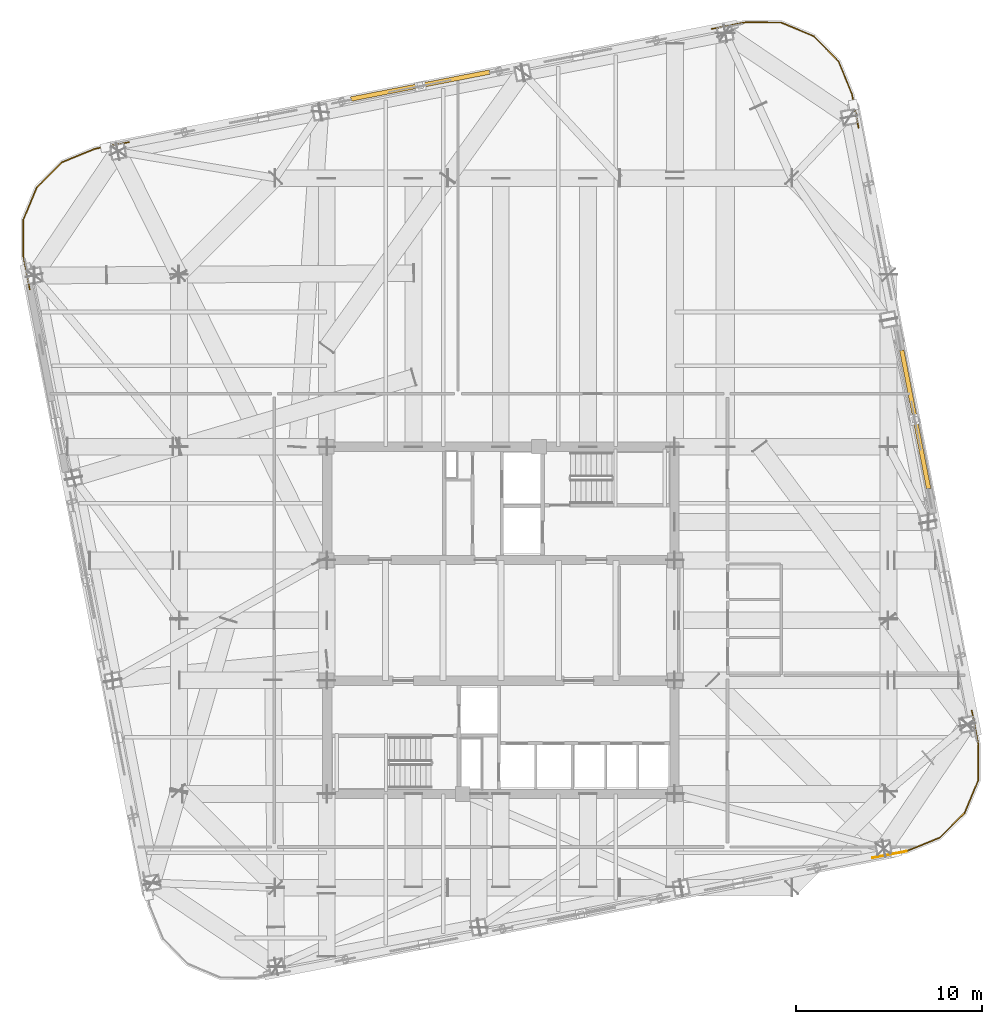
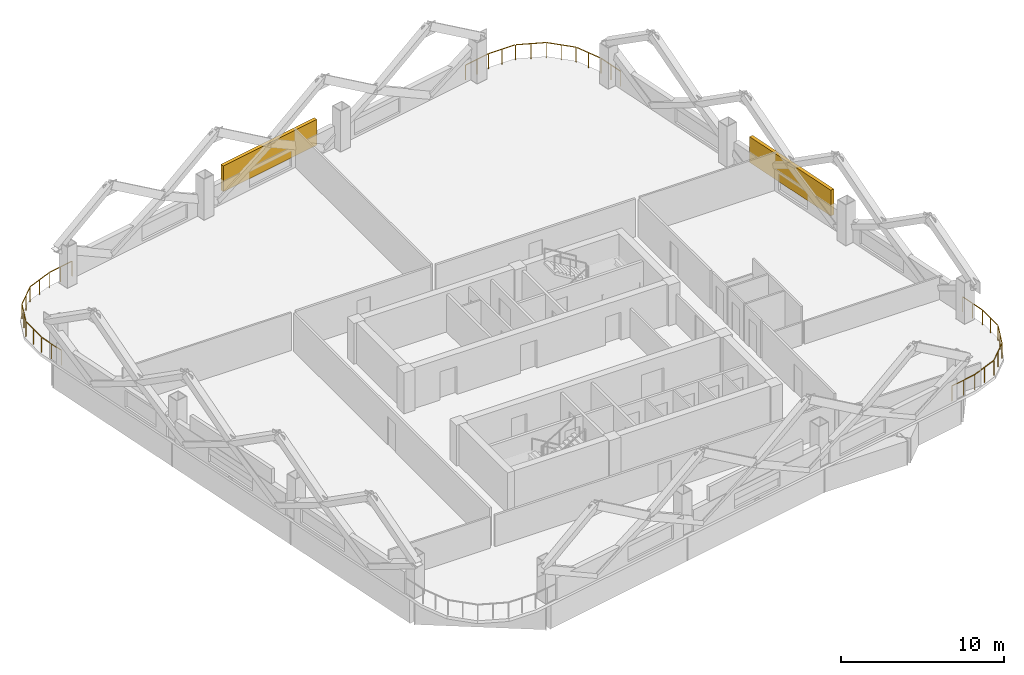
# One storey, part 14 of 14: 4 railings, 2 shading devices.
"""IFC4 building model written with IfcOpenShell, lengths in metres."""

from ifc_helpers import new_model, si_unit, direction, frame, origin, origin_2d, place, context, subcontext, project, spatial, rectangle, extrude, material, type_object, element, save


model = new_model("IFC4")

# Units and contexts
model_context = context("Model", 3, precision=1e-05, world=origin(), true_north=direction((0.0, 1.0)))
body_context = subcontext(model_context, "Body", "Model", "MODEL_VIEW")
ifc_project = project(units=[si_unit("LENGTHUNIT", "METRE"), si_unit("AREAUNIT", "SQUARE_METRE"), si_unit("VOLUMEUNIT", "CUBIC_METRE"), si_unit("PLANEANGLEUNIT", "RADIAN"), si_unit("MASSUNIT", "GRAM", prefix="KILO")], contexts=[model_context])

# Site, building, storey
site_placement = place(None, origin())
site = spatial("IfcSite", under=ifc_project, at=site_placement, CompositionType="ELEMENT")
building_placement = place(site_placement, origin())
building = spatial("IfcBuilding", under=site, at=building_placement, Name="Qhalaya Broadcast Tower", CompositionType="ELEMENT")
storey_placement = place(building_placement, frame((0.0, 0.0, 112.800048828125)))
storey = spatial("IfcBuildingStorey", under=building, at=storey_placement, Name="L32", CompositionType="ELEMENT", Elevation=112.800048828125)

# Railings
ifc_material_1 = material(Name="Powder-Coated Galvanised Steel", Category="steel")
railing_type = type_object("IfcRailingType", Name="Terrace, Sky-Pool & Lookout Glass Balustrade 1150", PredefinedType="BALUSTRADE", material=ifc_material_1)
railing_1_placement = place(storey_placement, frame((21.847412109375, -11.82861328125, 0.0)))
element("IfcRailing", 1, at=railing_1_placement, inside=storey, type_object=railing_type, Name="L32 Rounded Corner Perimeter Guard 01", PredefinedType="BALUSTRADE", context=body_context, shape_type="SweptSolid", body=[
    extrude(rectangle(XDim=0.048095703125, YDim=0.048095703125, at=origin_2d()), frame((0.0, 0.0, 1.1259765625), z_axis=(-0.981618812261, -0.190852056357, 0.0), x_axis=(0.190852056357, -0.981618812261, 0.0)), (0.0, 0.0, 1.0), 1.856201171875),
    extrude(rectangle(XDim=0.0419921875, YDim=0.0419921875, at=origin_2d()), origin(), (0.0, 0.0, 1.0), 1.099853515625),
    extrude(rectangle(XDim=0.0419921875, YDim=0.0419921875, at=origin_2d()), frame((-0.9111328125, -0.17724609375, 0.0)), (0.0, 0.0, 1.0), 1.099853515625),
    extrude(rectangle(XDim=0.0419921875, YDim=0.0419921875, at=origin_2d()), frame((-1.822021484375, -0.354248046875, 0.0)), (0.0, 0.0, 1.0), 1.099853515625),
])
railing_2_placement = place(storey_placement, frame((-25.36181640625, 18.43115234375, 0.0)))
element("IfcRailing", 2, at=railing_2_placement, inside=storey, type_object=railing_type, Name="L32 Rounded Corner Perimeter Guard 03", PredefinedType="BALUSTRADE", context=body_context, shape_type="SweptSolid", body=[
    extrude(rectangle(XDim=0.048095703125, YDim=0.048095703125, at=origin_2d()), frame((0.0, 0.0, 1.1259765625), z_axis=(-0.190827417864, 0.981623602299, 0.0), x_axis=(-0.981623602299, -0.190827417864, 0.0)), (0.0, 0.0, 1.0), 1.82763671875),
    extrude(rectangle(XDim=0.048095703125, YDim=0.048095703125, at=origin_2d()), frame((-0.35400390625, 1.85107421875, 1.1259765625), z_axis=(0.004334482484, 0.999990606087, 0.0), x_axis=(-0.999990606087, 0.004334482484, 0.0)), (0.0, 0.0, 1.0), 1.857421875),
    extrude(rectangle(XDim=0.048095703125, YDim=0.048095703125, at=origin_2d()), frame((-0.334716796875, 3.763916015625, 1.1259765625), z_axis=(0.386754828875, 0.922182575384, 0.0), x_axis=(-0.922182575384, 0.386754828875, 0.0)), (0.0, 0.0, 1.0), 1.845458984375),
    extrude(rectangle(XDim=0.048095703125, YDim=0.048095703125, at=origin_2d()), frame((0.41064453125, 5.5126953125, 1.1259765625), z_axis=(0.710178888649, 0.704021268228, 0.0), x_axis=(-0.704021268228, 0.710178888649, 0.0)), (0.0, 0.0, 1.0), 1.845458984375),
    extrude(rectangle(XDim=0.048095703125, YDim=0.048095703125, at=origin_2d()), frame((1.768310546875, 6.84326171875, 1.1259765625), z_axis=(0.92552055863, 0.378697366711, 0.0), x_axis=(-0.378697366711, 0.92552055863, 0.0)), (0.0, 0.0, 1.0), 1.857666015625),
    extrude(rectangle(XDim=0.048095703125, YDim=0.048095703125, at=origin_2d()), frame((3.542724609375, 7.563232421875, 1.1259765625), z_axis=(0.981643446311, 0.190725311155, 0.0), x_axis=(-0.190725311155, 0.981643446311, 0.0)), (0.0, 0.0, 1.0), 1.8271484375),
    extrude(rectangle(XDim=0.0419921875, YDim=0.0419921875, at=origin_2d()), origin(), (0.0, 0.0, 1.0), 1.099853515625),
    extrude(rectangle(XDim=0.0419921875, YDim=0.0419921875, at=origin_2d()), frame((-0.17724609375, 0.9111328125, 0.0)), (0.0, 0.0, 1.0), 1.099853515625),
    extrude(rectangle(XDim=0.0419921875, YDim=0.0419921875, at=origin_2d()), frame((-0.354248046875, 1.822265625, 0.0)), (0.0, 0.0, 1.0), 1.099853515625),
    extrude(rectangle(XDim=0.0419921875, YDim=0.0419921875, at=origin_2d()), frame((-0.35009765625, 2.77978515625, 0.0)), (0.0, 0.0, 1.0), 1.099853515625),
    extrude(rectangle(XDim=0.0419921875, YDim=0.0419921875, at=origin_2d()), frame((-0.345947265625, 3.7373046875, 0.0)), (0.0, 0.0, 1.0), 1.099853515625),
    extrude(rectangle(XDim=0.0419921875, YDim=0.0419921875, at=origin_2d()), frame((0.02197265625, 4.61474609375, 0.0)), (0.0, 0.0, 1.0), 1.099853515625),
    extrude(rectangle(XDim=0.0419921875, YDim=0.0419921875, at=origin_2d()), frame((0.39013671875, 5.492431640625, 0.0)), (0.0, 0.0, 1.0), 1.099853515625),
    extrude(rectangle(XDim=0.0419921875, YDim=0.0419921875, at=origin_2d()), frame((1.06591796875, 6.162353515625, 0.0)), (0.0, 0.0, 1.0), 1.099853515625),
    extrude(rectangle(XDim=0.0419921875, YDim=0.0419921875, at=origin_2d()), frame((1.74169921875, 6.832275390625, 0.0)), (0.0, 0.0, 1.0), 1.099853515625),
    extrude(rectangle(XDim=0.0419921875, YDim=0.0419921875, at=origin_2d()), frame((2.6279296875, 7.19482421875, 0.0)), (0.0, 0.0, 1.0), 1.099853515625),
    extrude(rectangle(XDim=0.0419921875, YDim=0.0419921875, at=origin_2d()), frame((3.514404296875, 7.5576171875, 0.0)), (0.0, 0.0, 1.0), 1.099853515625),
    extrude(rectangle(XDim=0.0419921875, YDim=0.0419921875, at=origin_2d()), frame((4.42529296875, 7.734619140625, 0.0)), (0.0, 0.0, 1.0), 1.099853515625),
    extrude(rectangle(XDim=0.0419921875, YDim=0.0419921875, at=origin_2d()), frame((5.33642578125, 7.91162109375, 0.0)), (0.0, 0.0, 1.0), 1.099853515625),
])
railing_3_placement = place(storey_placement, frame((11.351318359375, 32.44189453125, 0.0)))
element("IfcRailing", 3, at=railing_3_placement, inside=storey, type_object=railing_type, Name="L32 Rounded Corner Perimeter Guard 04", PredefinedType="BALUSTRADE", context=body_context, shape_type="SweptSolid", body=[
    extrude(rectangle(XDim=0.048095703125, YDim=0.048095703125, at=origin_2d()), frame((0.0, 0.0, 1.1259765625), z_axis=(0.981643446311, 0.190725311155, 0.0), x_axis=(-0.190725311155, 0.981643446311, 0.0)), (0.0, 0.0, 1.0), 1.8271484375),
    extrude(rectangle(XDim=0.048095703125, YDim=0.048095703125, at=origin_2d()), frame((1.850830078125, 0.353759765625, 1.1259765625), z_axis=(0.999990606087, -0.004334482484, 0.0), x_axis=(0.004334482484, 0.999990606087, 0.0)), (0.0, 0.0, 1.0), 1.857421875),
    extrude(rectangle(XDim=0.048095703125, YDim=0.048095703125, at=origin_2d()), frame((3.763671875, 0.33447265625, 1.1259765625), z_axis=(0.922247496545, -0.386599993684, 0.0), x_axis=(0.386599993684, 0.922247496545, 0.0)), (0.0, 0.0, 1.0), 1.845703125),
    extrude(rectangle(XDim=0.048095703125, YDim=0.048095703125, at=origin_2d()), frame((5.5126953125, -0.41064453125, 1.1259765625), z_axis=(0.704021268228, -0.710178888649, 0.0), x_axis=(0.710178888649, 0.704021268228, 0.0)), (0.0, 0.0, 1.0), 1.845458984375),
    extrude(rectangle(XDim=0.048095703125, YDim=0.048095703125, at=origin_2d()), frame((6.84326171875, -1.768310546875, 1.1259765625), z_axis=(0.378588174109, -0.925565229698, 0.0), x_axis=(0.925565229698, 0.378588174109, 0.0)), (0.0, 0.0, 1.0), 1.857666015625),
    extrude(rectangle(XDim=0.048095703125, YDim=0.048095703125, at=origin_2d()), frame((7.56298828125, -3.542724609375, 1.1259765625), z_axis=(0.190725311155, -0.981643446311, 0.0), x_axis=(0.981643446311, 0.190725311155, 0.0)), (0.0, 0.0, 1.0), 1.8271484375),
    extrude(rectangle(XDim=0.0419921875, YDim=0.0419921875, at=origin_2d()), origin(), (0.0, 0.0, 1.0), 1.099853515625),
    extrude(rectangle(XDim=0.0419921875, YDim=0.0419921875, at=origin_2d()), frame((0.9111328125, 0.177001953125, 0.0)), (0.0, 0.0, 1.0), 1.099853515625),
    extrude(rectangle(XDim=0.0419921875, YDim=0.0419921875, at=origin_2d()), frame((1.822021484375, 0.35400390625, 0.0)), (0.0, 0.0, 1.0), 1.099853515625),
    extrude(rectangle(XDim=0.0419921875, YDim=0.0419921875, at=origin_2d()), frame((2.779541015625, 0.349853515625, 0.0)), (0.0, 0.0, 1.0), 1.099853515625),
    extrude(rectangle(XDim=0.0419921875, YDim=0.0419921875, at=origin_2d()), frame((3.737060546875, 0.345703125, 0.0)), (0.0, 0.0, 1.0), 1.099853515625),
    extrude(rectangle(XDim=0.0419921875, YDim=0.0419921875, at=origin_2d()), frame((4.61474609375, -0.022216796875, 0.0)), (0.0, 0.0, 1.0), 1.099853515625),
    extrude(rectangle(XDim=0.0419921875, YDim=0.0419921875, at=origin_2d()), frame((5.492431640625, -0.39013671875, 0.0)), (0.0, 0.0, 1.0), 1.099853515625),
    extrude(rectangle(XDim=0.0419921875, YDim=0.0419921875, at=origin_2d()), frame((6.162353515625, -1.06591796875, 0.0)), (0.0, 0.0, 1.0), 1.099853515625),
    extrude(rectangle(XDim=0.0419921875, YDim=0.0419921875, at=origin_2d()), frame((6.832275390625, -1.74169921875, 0.0)), (0.0, 0.0, 1.0), 1.099853515625),
    extrude(rectangle(XDim=0.0419921875, YDim=0.0419921875, at=origin_2d()), frame((7.19482421875, -2.6279296875, 0.0)), (0.0, 0.0, 1.0), 1.099853515625),
    extrude(rectangle(XDim=0.0419921875, YDim=0.0419921875, at=origin_2d()), frame((7.557373046875, -3.514404296875, 0.0)), (0.0, 0.0, 1.0), 1.099853515625),
    extrude(rectangle(XDim=0.0419921875, YDim=0.0419921875, at=origin_2d()), frame((7.734375, -4.42529296875, 0.0)), (0.0, 0.0, 1.0), 1.099853515625),
    extrude(rectangle(XDim=0.0419921875, YDim=0.0419921875, at=origin_2d()), frame((7.911376953125, -5.33642578125, 0.0)), (0.0, 0.0, 1.0), 1.099853515625),
])
railing_4_placement = place(storey_placement, frame((25.36181640625, -4.271240234375, 0.0)))
element("IfcRailing", 4, at=railing_4_placement, inside=storey, type_object=railing_type, Name="L32 Rounded Corner Perimeter Guard 05", PredefinedType="BALUSTRADE", context=body_context, shape_type="SweptSolid", body=[
    extrude(rectangle(XDim=0.048095703125, YDim=0.048095703125, at=origin_2d()), frame((0.0, 0.0, 1.1259765625), z_axis=(0.190827417864, -0.981623602299, 0.0), x_axis=(0.981623602299, 0.190827417864, 0.0)), (0.0, 0.0, 1.0), 1.82763671875),
    extrude(rectangle(XDim=0.048095703125, YDim=0.048095703125, at=origin_2d()), frame((0.35400390625, -1.85107421875, 1.1259765625), z_axis=(-0.004334482484, -0.999990606087, 0.0), x_axis=(0.999990606087, -0.004334482484, 0.0)), (0.0, 0.0, 1.0), 1.857421875),
    extrude(rectangle(XDim=0.048095703125, YDim=0.048095703125, at=origin_2d()), frame((0.334716796875, -3.763916015625, 1.1259765625), z_axis=(-0.386754828875, -0.922182575384, 0.0), x_axis=(0.922182575384, -0.386754828875, 0.0)), (0.0, 0.0, 1.0), 1.845458984375),
    extrude(rectangle(XDim=0.048095703125, YDim=0.048095703125, at=origin_2d()), frame((-0.41064453125, -5.5126953125, 1.1259765625), z_axis=(-0.710178888649, -0.704021268228, 0.0), x_axis=(0.704021268228, -0.710178888649, 0.0)), (0.0, 0.0, 1.0), 1.845458984375),
    extrude(rectangle(XDim=0.048095703125, YDim=0.048095703125, at=origin_2d()), frame((-1.768310546875, -6.84326171875, 1.1259765625), z_axis=(-0.925565229698, -0.378588174109, 0.0), x_axis=(0.378588174109, -0.925565229698, 0.0)), (0.0, 0.0, 1.0), 1.886474609375),
    extrude(rectangle(XDim=0.0419921875, YDim=0.0419921875, at=origin_2d()), origin(), (0.0, 0.0, 1.0), 1.099853515625),
    extrude(rectangle(XDim=0.0419921875, YDim=0.0419921875, at=origin_2d()), frame((0.17724609375, -0.9111328125, 0.0)), (0.0, 0.0, 1.0), 1.099853515625),
    extrude(rectangle(XDim=0.0419921875, YDim=0.0419921875, at=origin_2d()), frame((0.354248046875, -1.822265625, 0.0)), (0.0, 0.0, 1.0), 1.099853515625),
    extrude(rectangle(XDim=0.0419921875, YDim=0.0419921875, at=origin_2d()), frame((0.35009765625, -2.77978515625, 0.0)), (0.0, 0.0, 1.0), 1.099853515625),
    extrude(rectangle(XDim=0.0419921875, YDim=0.0419921875, at=origin_2d()), frame((0.345947265625, -3.7373046875, 0.0)), (0.0, 0.0, 1.0), 1.099853515625),
    extrude(rectangle(XDim=0.0419921875, YDim=0.0419921875, at=origin_2d()), frame((-0.02197265625, -4.61474609375, 0.0)), (0.0, 0.0, 1.0), 1.099853515625),
    extrude(rectangle(XDim=0.0419921875, YDim=0.0419921875, at=origin_2d()), frame((-0.39013671875, -5.492431640625, 0.0)), (0.0, 0.0, 1.0), 1.099853515625),
    extrude(rectangle(XDim=0.0419921875, YDim=0.0419921875, at=origin_2d()), frame((-1.06591796875, -6.162353515625, 0.0)), (0.0, 0.0, 1.0), 1.099853515625),
    extrude(rectangle(XDim=0.0419921875, YDim=0.0419921875, at=origin_2d()), frame((-1.74169921875, -6.832275390625, 0.0)), (0.0, 0.0, 1.0), 1.099853515625),
    extrude(rectangle(XDim=0.0419921875, YDim=0.0419921875, at=origin_2d()), frame((-2.6279296875, -7.19482421875, 0.0)), (0.0, 0.0, 1.0), 1.099853515625),
    extrude(rectangle(XDim=0.0419921875, YDim=0.0419921875, at=origin_2d()), frame((-3.514404296875, -7.557373046875, 0.0)), (0.0, 0.0, 1.0), 1.099853515625),
])

# Shading devices
ifc_material_2 = material(Name="Fired Architectural Terracotta", Category="masonry")
shading_device_type = type_object("IfcShadingDeviceType", Name="Terracotta Baguette Solar Screen Assembly TBS-01", PredefinedType="USERDEFINED", material=ifc_material_2)
for number, where, z_axis, x_axis, name in (
    (5, (22.3125, 11.4169921875, 0.79248046875), (0.0, 0.0, 1.0), (-0.190808995377, 0.981627183448, 0.0), "L32 Fired Terracotta Baguette Screen E"),
    (6, (-4.337158203125, 29.392333984375, 0.79248046875), (0.0, 0.0, 1.0), (-0.981627183448, -0.190808995377, 0.0), "L32 Fired Terracotta Baguette Screen N"),
):
    element("IfcShadingDevice", number, at=place(storey_placement, frame(where, z_axis=z_axis, x_axis=x_axis)), inside=storey, type_object=shading_device_type, Name=name, ObjectType="BAGUETTE", PredefinedType="USERDEFINED", context=body_context, shape_type="SweptSolid", body=[
        extrude(rectangle(XDim=7.60009765625, YDim=0.239990234375, at=origin_2d()), origin(), (0.0, 0.0, 1.0), 1.924072265625),
    ])

save(model, "model.ifc")
